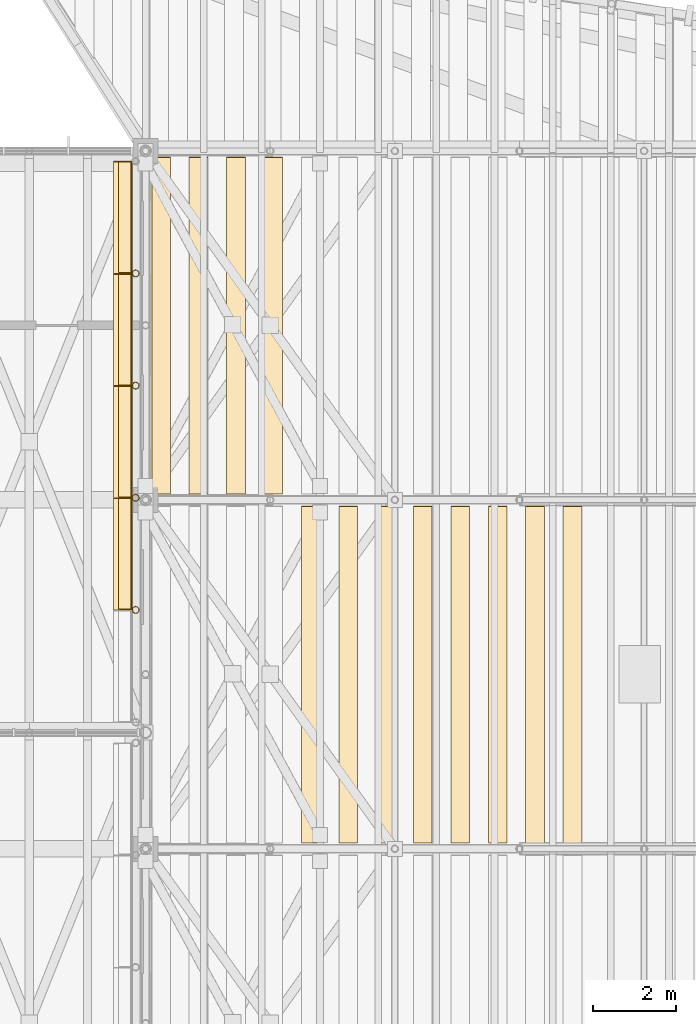
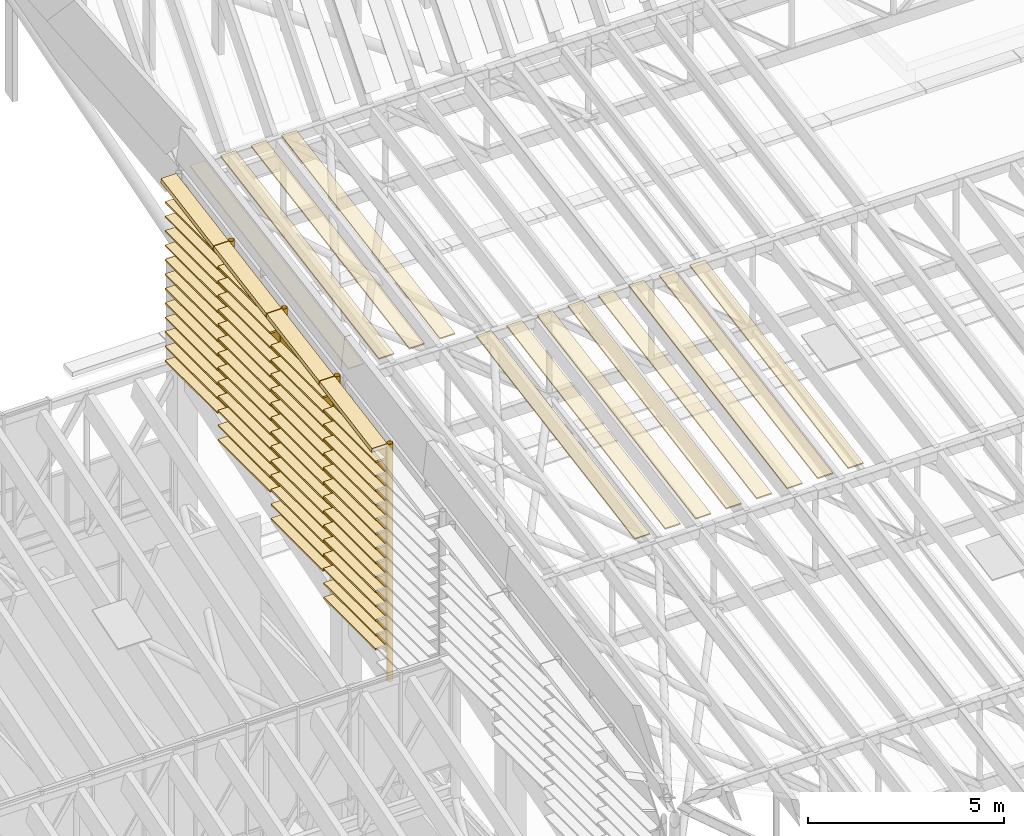
# One storey, part 84 of 91: 72 coverings, 4 shading devices.
"""IFC4 building model written with IfcOpenShell, lengths in metres."""

from ifc_helpers import new_model, si_unit, direction, frame, origin, origin_2d, place, context, subcontext, project, spatial, polyline, rectangle, hollow_circle, outline, extrude, material, layer, layer_set, material_profile, profile_set, type_object, element, save


model = new_model("IFC4")

# Units and contexts
model_context = context("Model", 3, precision=1e-05, world=origin(), true_north=direction((0.0, 1.0)))
body_context = subcontext(model_context, "Body", "Model", "MODEL_VIEW")
ifc_project = project(units=[si_unit("LENGTHUNIT", "METRE"), si_unit("AREAUNIT", "SQUARE_METRE"), si_unit("VOLUMEUNIT", "CUBIC_METRE"), si_unit("PLANEANGLEUNIT", "RADIAN"), si_unit("MASSUNIT", "GRAM", prefix="KILO")], contexts=[model_context])

# Site, building, storey
site_placement = place(None, origin())
site = spatial("IfcSite", under=ifc_project, at=site_placement, CompositionType="ELEMENT")
building_placement = place(site_placement, origin())
building = spatial("IfcBuilding", under=site, at=building_placement, Name="Almond Square Museum", CompositionType="ELEMENT")
storey_placement = place(building_placement, frame((0.0, 0.0, 30.0)))
storey = spatial("IfcBuildingStorey", under=building, at=storey_placement, Name="L05", CompositionType="ELEMENT", Elevation=30.0)

# Coverings
ifc_material_1 = material(Name="Cedar timber roof board", Category="wood")
ifc_layer_1 = layer(ifc_material_1, 0.0400390625)
ifc_layer_set_1 = layer_set([ifc_layer_1], Name="Cedar timber roof board")
covering_type_1 = type_object("IfcCoveringType", Name="Hall roof board 450 x 40", PredefinedType="CLADDING", material=ifc_layer_set_1)
for number, where, z_axis, x_axis, name in (
    (1, (111.0, 100.64990234375, 15.293701171875), (0.0, -0.17238105195, 0.985030341121), (-1.0, 0.0, 0.0), "Hall roof board"),
    (2, (111.89990234375, 100.64990234375, 15.293701171875), (0.0, -0.17238105195, 0.985030341121), (-1.0, 0.0, 0.0), "Hall roof board"),
    (3, (112.800048828125, 100.64990234375, 15.293701171875), (0.0, -0.17238105195, 0.985030341121), (-1.0, 0.0, 0.0), "Hall roof board"),
    (4, (113.699951171875, 100.64990234375, 15.293701171875), (0.0, -0.17238105195, 0.985030341121), (-1.0, 0.0, 0.0), "Hall roof board"),
):
    element("IfcCovering", number, at=place(storey_placement, frame(where, z_axis=z_axis, x_axis=x_axis)), inside=storey, type_object=covering_type_1, Name=name, PredefinedType="CLADDING", context=body_context, shape_type="SweptSolid", body=[
        extrude(outline(polyline([(0.0, 0.0), (0.449951171875, 0.0), (0.449951171875, 8.22294824584652), (0.0, 8.22294824584652), (0.0, 0.0)])), origin(), (0.0, 0.0, 1.0), 0.0400390625),
    ])
covering_1_placement = place(storey_placement, frame((114.60009765625, 100.64990234375, 15.293701171875), z_axis=(0.0, -0.17238105195, 0.985030341121), x_axis=(-1.0, 0.0, 0.0)))
element("IfcCovering", 5, at=covering_1_placement, inside=storey, type_object=covering_type_1, Name="Hall roof board", PredefinedType="CLADDING", context=body_context, shape_type="SweptSolid", body=[
    extrude(outline(polyline([(0.0, 0.0), (0.4501953125, 0.0), (0.4501953125, 8.222948245846522), (0.0, 8.222948245846522), (0.0, 0.0)])), origin(), (0.0, 0.0, 1.0), 0.0400390625),
])
for number, where, z_axis, x_axis, name in (
    (6, (115.5, 100.64990234375, 15.293701171875), (0.0, -0.17238105195, 0.985030341121), (-1.0, 0.0, 0.0), "Hall roof board"),
    (7, (116.39990234375, 100.64990234375, 15.293701171875), (0.0, -0.17238105195, 0.985030341121), (-1.0, 0.0, 0.0), "Hall roof board"),
    (8, (117.300048828125, 100.64990234375, 15.293701171875), (0.0, -0.17238105195, 0.985030341121), (-1.0, 0.0, 0.0), "Hall roof board"),
):
    element("IfcCovering", number, at=place(storey_placement, frame(where, z_axis=z_axis, x_axis=x_axis)), inside=storey, type_object=covering_type_1, Name=name, PredefinedType="CLADDING", context=body_context, shape_type="SweptSolid", body=[
        extrude(outline(polyline([(0.0, 0.0), (0.449951171875, 0.0), (0.449951171875, 8.22294824584652), (0.0, 8.22294824584652), (0.0, 0.0)])), origin(), (0.0, 0.0, 1.0), 0.0400390625),
    ])
for number, where, z_axis, x_axis, name in (
    (9, (107.39990234375, 109.050048828125, 16.763916015625), (0.0, -0.172404817585, 0.985026181821), (-1.0, 0.0, 0.0), "Hall roof board"),
    (10, (108.300048828125, 109.050048828125, 16.763916015625), (0.0, -0.172404817585, 0.985026181821), (-1.0, 0.0, 0.0), "Hall roof board"),
    (11, (109.199951171875, 109.050048828125, 16.763916015625), (0.0, -0.172404817585, 0.985026181821), (-1.0, 0.0, 0.0), "Hall roof board"),
):
    element("IfcCovering", number, at=place(storey_placement, frame(where, z_axis=z_axis, x_axis=x_axis)), inside=storey, type_object=covering_type_1, Name=name, PredefinedType="CLADDING", context=body_context, shape_type="SweptSolid", body=[
        extrude(outline(polyline([(0.0, 0.0), (0.449951171875, 0.0), (0.449951171875, 8.2232308193808), (0.0, 8.2232308193808), (0.0, 0.0)])), origin(), (0.0, 0.0, 1.0), 0.0400390625),
    ])
covering_2_placement = place(storey_placement, frame((110.10009765625, 109.050048828125, 16.763916015625), z_axis=(0.0, -0.172404817585, 0.985026181821), x_axis=(-1.0, 0.0, 0.0)))
element("IfcCovering", 12, at=covering_2_placement, inside=storey, type_object=covering_type_1, Name="Hall roof board", PredefinedType="CLADDING", context=body_context, shape_type="SweptSolid", body=[
    extrude(outline(polyline([(0.0, 0.0), (0.4501953125, 0.0), (0.4501953125, 8.2232308193808), (0.0, 8.2232308193808), (0.0, 0.0)])), origin(), (0.0, 0.0, 1.0), 0.0400390625),
])

# Shading devices
ifc_material_2 = material(Name="Structural steel S355", Category="steel")
ifc_material_profile_1 = material_profile(ifc_material_2, hollow_circle(Radius=0.084228515625, WallThickness=0.008056640625, at=origin_2d()))
ifc_profile_set_1 = profile_set([ifc_material_profile_1], Name="Structural steel S355")
shading_device_type = type_object("IfcShadingDeviceType", Name="Louvre post CHS 168.3 x 8", PredefinedType="USERDEFINED", material=ifc_profile_set_1)
shading_device_1_placement = place(storey_placement, frame((106.560791015625, 98.14990234375, 7.501953125), z_axis=(0.0, 0.0, 1.0), x_axis=(1.0, 0.0, 0.0)))
element("IfcShadingDevice", 13, at=shading_device_1_placement, inside=storey, type_object=shading_device_type, Name="Louvre screen post", ObjectType="POST", PredefinedType="USERDEFINED", context=body_context, shape_type="SweptSolid", body=[
    extrude(hollow_circle(Radius=0.084228515625, WallThickness=0.008056640625, at=origin_2d()), origin(), (0.0, 0.0, 1.0), 7.404296875),
])
shading_device_2_placement = place(storey_placement, frame((106.560791015625, 100.85009765625, 8.327392578125), z_axis=(0.0, 0.0, 1.0), x_axis=(1.0, 0.0, 0.0)))
element("IfcShadingDevice", 14, at=shading_device_2_placement, inside=storey, type_object=shading_device_type, Name="Louvre screen post", ObjectType="POST", PredefinedType="USERDEFINED", context=body_context, shape_type="SweptSolid", body=[
    extrude(hollow_circle(Radius=0.084228515625, WallThickness=0.008056640625, at=origin_2d()), origin(), (0.0, 0.0, 1.0), 7.05126953125),
])
shading_device_3_placement = place(storey_placement, frame((106.560791015625, 103.550048828125, 9.15283203125), z_axis=(0.0, 0.0, 1.0), x_axis=(1.0, 0.0, 0.0)))
element("IfcShadingDevice", 15, at=shading_device_3_placement, inside=storey, type_object=shading_device_type, Name="Louvre screen post", ObjectType="POST", PredefinedType="USERDEFINED", context=body_context, shape_type="SweptSolid", body=[
    extrude(hollow_circle(Radius=0.084228515625, WallThickness=0.008056640625, at=origin_2d()), origin(), (0.0, 0.0, 1.0), 6.698486328125),
])
shading_device_4_placement = place(storey_placement, frame((106.560791015625, 106.25, 9.978271484375), z_axis=(0.0, 0.0, 1.0), x_axis=(1.0, 0.0, 0.0)))
element("IfcShadingDevice", 16, at=shading_device_4_placement, inside=storey, type_object=shading_device_type, Name="Louvre screen post", ObjectType="POST", PredefinedType="USERDEFINED", context=body_context, shape_type="SweptSolid", body=[
    extrude(hollow_circle(Radius=0.084228515625, WallThickness=0.008056640625, at=origin_2d()), origin(), (0.0, 0.0, 1.0), 6.345458984375),
])

# Coverings
ifc_material_3 = material(Name="Cedar timber sheathing panel", Category="wood")
ifc_layer_2 = layer(ifc_material_3, 0.030029296875)
ifc_layer_set_2 = layer_set([ifc_layer_2], Name="Cedar timber sheathing panel")
covering_type_2 = type_object("IfcCoveringType", Name="Louvre rain-screen backing panel 30", PredefinedType="CLADDING", material=ifc_layer_set_2)
covering_3_placement = place(storey_placement, frame((106.463623046875, 98.159912109375, 8.37744140625), z_axis=(1.0, 0.0, 0.0), x_axis=(0.0, 1.0, 0.0)))
element("IfcCovering", 17, at=covering_3_placement, inside=storey, type_object=covering_type_2, Name="Louvre rain-screen backing panel W2 12", PredefinedType="CLADDING", context=body_context, shape_type="SweptSolid", body=[
    extrude(outline(polyline([(0.0, 0.0), (2.68017578125, 0.0), (2.68017578125, 6.388671875), (0.0, 6.388671875), (0.0, 0.0)])), frame((0.0, 0.0, -0.01513671875)), (0.0, 0.0, 1.0), 0.030029296875),
])
covering_4_placement = place(storey_placement, frame((106.463623046875, 100.860107421875, 9.202880859375), z_axis=(1.0, 0.0, 0.0), x_axis=(0.0, 1.0, 0.0)))
element("IfcCovering", 18, at=covering_4_placement, inside=storey, type_object=covering_type_2, Name="Louvre rain-screen backing panel W2 13", PredefinedType="CLADDING", context=body_context, shape_type="SweptSolid", body=[
    extrude(outline(polyline([(0.0, 0.0), (2.679931640625, 0.0), (2.679931640625, 6.035888671875), (0.0, 6.035888671875), (0.0, 0.0)])), frame((0.0, 0.0, -0.01513671875)), (0.0, 0.0, 1.0), 0.030029296875),
])
covering_5_placement = place(storey_placement, frame((106.463623046875, 103.56005859375, 10.0283203125), z_axis=(1.0, 0.0, 0.0), x_axis=(0.0, 1.0, 0.0)))
element("IfcCovering", 19, at=covering_5_placement, inside=storey, type_object=covering_type_2, Name="Louvre rain-screen backing panel W2 14", PredefinedType="CLADDING", context=body_context, shape_type="SweptSolid", body=[
    extrude(outline(polyline([(0.0, 0.0), (2.679931640625, 0.0), (2.679931640625, 5.682861328125), (0.0, 5.682861328125), (0.0, 0.0)])), frame((0.0, 0.0, -0.01513671875)), (0.0, 0.0, 1.0), 0.030029296875),
])
covering_6_placement = place(storey_placement, frame((106.463623046875, 106.260009765625, 10.853759765625), z_axis=(1.0, 0.0, 0.0), x_axis=(0.0, 1.0, 0.0)))
element("IfcCovering", 20, at=covering_6_placement, inside=storey, type_object=covering_type_2, Name="Louvre rain-screen backing panel W2 15", PredefinedType="CLADDING", context=body_context, shape_type="SweptSolid", body=[
    extrude(outline(polyline([(0.0, 0.0), (2.679931640625, 0.0), (2.679931640625, 5.329833984375), (0.0, 5.329833984375), (0.0, 0.0)])), frame((0.0, 0.0, -0.01513671875)), (0.0, 0.0, 1.0), 0.030029296875),
])
ifc_material_4 = material(Name="Cedar timber louvre board", Category="wood")
ifc_material_profile_2 = material_profile(ifc_material_4, rectangle(XDim=0.300048828125, YDim=0.050048828125, at=origin_2d()))
ifc_profile_set_2 = profile_set([ifc_material_profile_2], Name="Cedar timber louvre board")
covering_type_3 = type_object("IfcCoveringType", Name="Louvre screen board 300 x 50", PredefinedType="CLADDING", material=ifc_profile_set_2)
for number, where, z_axis, x_axis, name in (
    (21, (106.302734375, 98.169921875, 8.577392578125), (0.0, 1.0, 0.0), (-1.0, 0.0, 0.0), "Louvre screen board"),
    (22, (106.302734375, 98.169921875, 9.02734375), (0.0, 1.0, 0.0), (-1.0, 0.0, 0.0), "Louvre screen board"),
    (23, (106.302734375, 98.169921875, 9.477294921875), (0.0, 1.0, 0.0), (-1.0, 0.0, 0.0), "Louvre screen board"),
    (24, (106.302734375, 98.169921875, 9.927490234375), (0.0, 1.0, 0.0), (-1.0, 0.0, 0.0), "Louvre screen board"),
    (25, (106.302734375, 98.169921875, 10.37744140625), (0.0, 1.0, 0.0), (-1.0, 0.0, 0.0), "Louvre screen board"),
    (26, (106.302734375, 98.169921875, 10.827392578125), (0.0, 1.0, 0.0), (-1.0, 0.0, 0.0), "Louvre screen board"),
    (27, (106.302734375, 98.169921875, 11.27734375), (0.0, 1.0, 0.0), (-1.0, 0.0, 0.0), "Louvre screen board"),
    (28, (106.302734375, 98.169921875, 11.727294921875), (0.0, 1.0, 0.0), (-1.0, 0.0, 0.0), "Louvre screen board"),
    (29, (106.302734375, 98.169921875, 12.177490234375), (0.0, 1.0, 0.0), (-1.0, 0.0, 0.0), "Louvre screen board"),
    (30, (106.302734375, 98.169921875, 12.62744140625), (0.0, 1.0, 0.0), (-1.0, 0.0, 0.0), "Louvre screen board"),
    (31, (106.302734375, 98.169921875, 13.077392578125), (0.0, 1.0, 0.0), (-1.0, 0.0, 0.0), "Louvre screen board"),
    (32, (106.302734375, 98.169921875, 13.52734375), (0.0, 1.0, 0.0), (-1.0, 0.0, 0.0), "Louvre screen board"),
    (33, (106.302734375, 98.169921875, 13.977294921875), (0.0, 1.0, 0.0), (-1.0, 0.0, 0.0), "Louvre screen board"),
    (34, (106.302734375, 98.169921875, 14.427490234375), (0.0, 1.0, 0.0), (-1.0, 0.0, 0.0), "Louvre screen board"),
):
    element("IfcCovering", number, at=place(storey_placement, frame(where, z_axis=z_axis, x_axis=x_axis)), inside=storey, type_object=covering_type_3, Name=name, PredefinedType="CLADDING", context=body_context, shape_type="SweptSolid", body=[
        extrude(rectangle(XDim=0.300048828125, YDim=0.050048828125, at=origin_2d()), origin(), (0.0, 0.0, 1.0), 2.66015625),
    ])
for number, where, z_axis, x_axis, name in (
    (35, (106.302734375, 100.8701171875, 9.40283203125), (0.0, 1.0, 0.0), (-1.0, 0.0, 0.0), "Louvre screen board"),
    (36, (106.302734375, 100.8701171875, 9.852783203125), (0.0, 1.0, 0.0), (-1.0, 0.0, 0.0), "Louvre screen board"),
    (37, (106.302734375, 100.8701171875, 10.302734375), (0.0, 1.0, 0.0), (-1.0, 0.0, 0.0), "Louvre screen board"),
    (38, (106.302734375, 100.8701171875, 10.7529296875), (0.0, 1.0, 0.0), (-1.0, 0.0, 0.0), "Louvre screen board"),
    (39, (106.302734375, 100.8701171875, 11.202880859375), (0.0, 1.0, 0.0), (-1.0, 0.0, 0.0), "Louvre screen board"),
    (40, (106.302734375, 100.8701171875, 11.65283203125), (0.0, 1.0, 0.0), (-1.0, 0.0, 0.0), "Louvre screen board"),
    (41, (106.302734375, 100.8701171875, 12.102783203125), (0.0, 1.0, 0.0), (-1.0, 0.0, 0.0), "Louvre screen board"),
    (42, (106.302734375, 100.8701171875, 12.552734375), (0.0, 1.0, 0.0), (-1.0, 0.0, 0.0), "Louvre screen board"),
    (43, (106.302734375, 100.8701171875, 13.0029296875), (0.0, 1.0, 0.0), (-1.0, 0.0, 0.0), "Louvre screen board"),
    (44, (106.302734375, 100.8701171875, 13.452880859375), (0.0, 1.0, 0.0), (-1.0, 0.0, 0.0), "Louvre screen board"),
    (45, (106.302734375, 100.8701171875, 13.90283203125), (0.0, 1.0, 0.0), (-1.0, 0.0, 0.0), "Louvre screen board"),
    (46, (106.302734375, 100.8701171875, 14.352783203125), (0.0, 1.0, 0.0), (-1.0, 0.0, 0.0), "Louvre screen board"),
    (47, (106.302734375, 100.8701171875, 14.802734375), (0.0, 1.0, 0.0), (-1.0, 0.0, 0.0), "Louvre screen board"),
    (48, (106.302734375, 103.570068359375, 10.228271484375), (0.0, 1.0, 0.0), (-1.0, 0.0, 0.0), "Louvre screen board"),
    (49, (106.302734375, 103.570068359375, 10.67822265625), (0.0, 1.0, 0.0), (-1.0, 0.0, 0.0), "Louvre screen board"),
    (50, (106.302734375, 103.570068359375, 11.12841796875), (0.0, 1.0, 0.0), (-1.0, 0.0, 0.0), "Louvre screen board"),
    (51, (106.302734375, 103.570068359375, 11.578369140625), (0.0, 1.0, 0.0), (-1.0, 0.0, 0.0), "Louvre screen board"),
    (52, (106.302734375, 103.570068359375, 12.0283203125), (0.0, 1.0, 0.0), (-1.0, 0.0, 0.0), "Louvre screen board"),
    (53, (106.302734375, 103.570068359375, 12.478271484375), (0.0, 1.0, 0.0), (-1.0, 0.0, 0.0), "Louvre screen board"),
    (54, (106.302734375, 103.570068359375, 12.92822265625), (0.0, 1.0, 0.0), (-1.0, 0.0, 0.0), "Louvre screen board"),
    (55, (106.302734375, 103.570068359375, 13.37841796875), (0.0, 1.0, 0.0), (-1.0, 0.0, 0.0), "Louvre screen board"),
    (56, (106.302734375, 103.570068359375, 13.828369140625), (0.0, 1.0, 0.0), (-1.0, 0.0, 0.0), "Louvre screen board"),
    (57, (106.302734375, 103.570068359375, 14.2783203125), (0.0, 1.0, 0.0), (-1.0, 0.0, 0.0), "Louvre screen board"),
    (58, (106.302734375, 103.570068359375, 14.728271484375), (0.0, 1.0, 0.0), (-1.0, 0.0, 0.0), "Louvre screen board"),
    (59, (106.302734375, 103.570068359375, 15.17822265625), (0.0, 1.0, 0.0), (-1.0, 0.0, 0.0), "Louvre screen board"),
    (60, (106.302734375, 103.570068359375, 15.62841796875), (0.0, 1.0, 0.0), (-1.0, 0.0, 0.0), "Louvre screen board"),
    (61, (106.302734375, 106.27001953125, 11.0537109375), (0.0, 1.0, 0.0), (-1.0, 0.0, 0.0), "Louvre screen board"),
    (62, (106.302734375, 106.27001953125, 11.50390625), (0.0, 1.0, 0.0), (-1.0, 0.0, 0.0), "Louvre screen board"),
    (63, (106.302734375, 106.27001953125, 11.953857421875), (0.0, 1.0, 0.0), (-1.0, 0.0, 0.0), "Louvre screen board"),
    (64, (106.302734375, 106.27001953125, 12.40380859375), (0.0, 1.0, 0.0), (-1.0, 0.0, 0.0), "Louvre screen board"),
    (65, (106.302734375, 106.27001953125, 12.853759765625), (0.0, 1.0, 0.0), (-1.0, 0.0, 0.0), "Louvre screen board"),
    (66, (106.302734375, 106.27001953125, 13.3037109375), (0.0, 1.0, 0.0), (-1.0, 0.0, 0.0), "Louvre screen board"),
    (67, (106.302734375, 106.27001953125, 13.75390625), (0.0, 1.0, 0.0), (-1.0, 0.0, 0.0), "Louvre screen board"),
    (68, (106.302734375, 106.27001953125, 14.203857421875), (0.0, 1.0, 0.0), (-1.0, 0.0, 0.0), "Louvre screen board"),
    (69, (106.302734375, 106.27001953125, 14.65380859375), (0.0, 1.0, 0.0), (-1.0, 0.0, 0.0), "Louvre screen board"),
    (70, (106.302734375, 106.27001953125, 15.103759765625), (0.0, 1.0, 0.0), (-1.0, 0.0, 0.0), "Louvre screen board"),
    (71, (106.302734375, 106.27001953125, 15.5537109375), (0.0, 1.0, 0.0), (-1.0, 0.0, 0.0), "Louvre screen board"),
    (72, (106.302734375, 106.27001953125, 16.00390625), (0.0, 1.0, 0.0), (-1.0, 0.0, 0.0), "Louvre screen board"),
):
    element("IfcCovering", number, at=place(storey_placement, frame(where, z_axis=z_axis, x_axis=x_axis)), inside=storey, type_object=covering_type_3, Name=name, PredefinedType="CLADDING", context=body_context, shape_type="SweptSolid", body=[
        extrude(rectangle(XDim=0.300048828125, YDim=0.050048828125, at=origin_2d()), origin(), (0.0, 0.0, 1.0), 2.659912109375),
    ])
ifc_material_5 = material(Name="Cedar timber louvre board", Category="wood")
ifc_material_profile_3 = material_profile(ifc_material_5, rectangle(XDim=0.449951171875, YDim=0.139892578125, at=origin_2d()))
ifc_profile_set_3 = profile_set([ifc_material_profile_3], Name="Cedar timber louvre board")
covering_type_4 = type_object("IfcCoveringType", Name="Louvre skin fascia 450 x 140", PredefinedType="CLADDING", material=ifc_profile_set_3)
covering_7_placement = place(storey_placement, frame((106.255615234375, 98.159912109375, 14.836181640625), z_axis=(0.0, 0.984803420375, 0.173672747481), x_axis=(-1.0, 0.0, 0.0)))
element("IfcCovering", 73, at=covering_7_placement, inside=storey, type_object=covering_type_4, Name="Louvre skin fascia", PredefinedType="CLADDING", context=body_context, shape_type="SweptSolid", body=[
    extrude(rectangle(XDim=0.449951171875, YDim=0.139892578125, at=origin_2d()), origin(), (0.0, 0.0, 1.0), 2.721435546875),
])
for number, where, z_axis, x_axis, name in (
    (74, (106.255615234375, 100.860107421875, 15.308837890625), (0.0, 0.984816056222, 0.173601081242), (-1.0, 0.0, 0.0), "Louvre skin fascia"),
    (75, (106.255615234375, 103.56005859375, 15.78125), (0.0, 0.984816056222, 0.173601081242), (-1.0, 0.0, 0.0), "Louvre skin fascia"),
    (76, (106.255615234375, 106.260009765625, 16.253662109375), (0.0, 0.984800714254, 0.173688091719), (-1.0, 0.0, 0.0), "Louvre skin fascia"),
):
    element("IfcCovering", number, at=place(storey_placement, frame(where, z_axis=z_axis, x_axis=x_axis)), inside=storey, type_object=covering_type_4, Name=name, PredefinedType="CLADDING", context=body_context, shape_type="SweptSolid", body=[
        extrude(rectangle(XDim=0.449951171875, YDim=0.139892578125, at=origin_2d()), origin(), (0.0, 0.0, 1.0), 2.72119140625),
    ])

save(model, "model.ifc")
